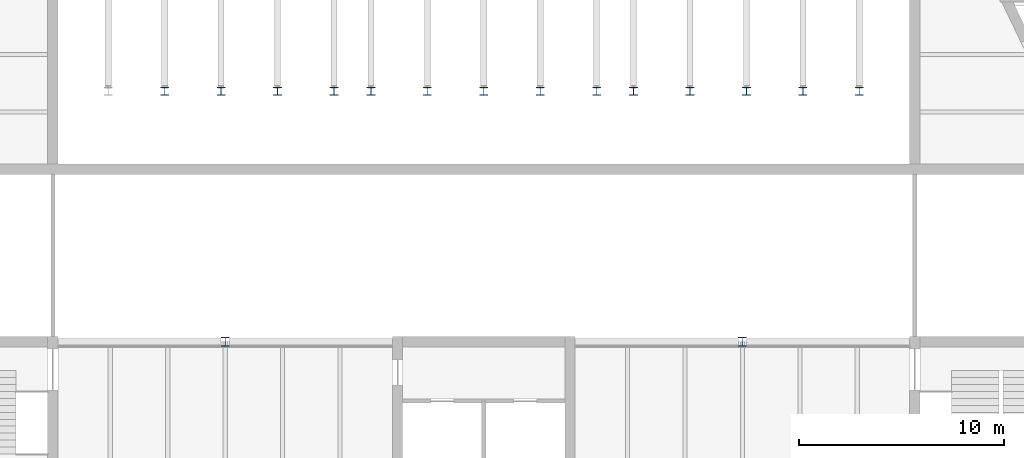
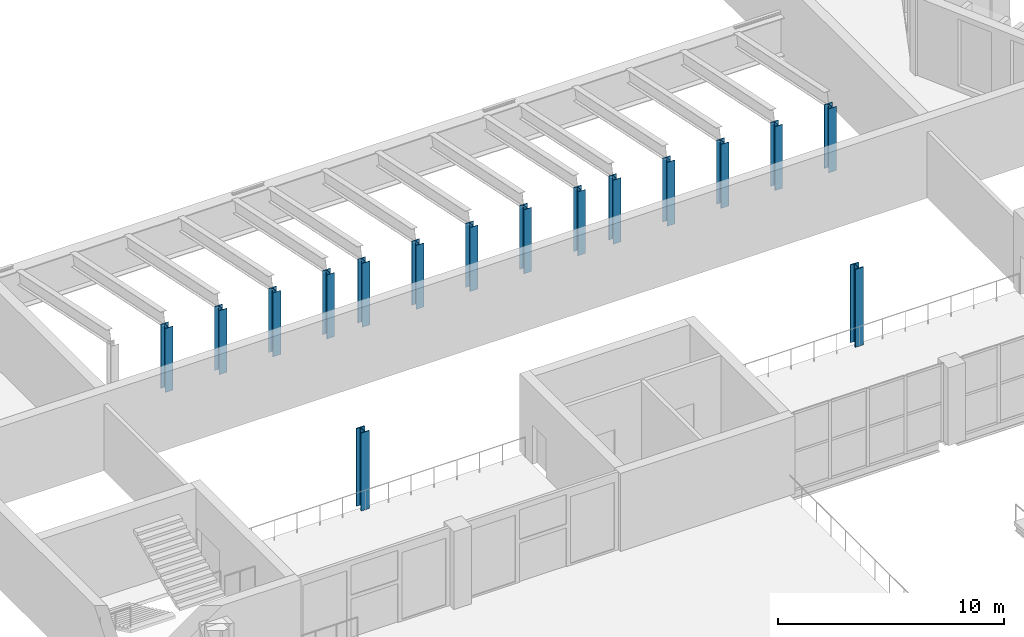
# One storey, part 9 of 96: 16 columns.
"""IFC4 building model written with IfcOpenShell, lengths in metres."""

from ifc_helpers import new_model, si_unit, direction, frame, origin, origin_2d, place, context, subcontext, project, spatial, i_section, extrude, material, material_profile, profile_set, type_object, element, save


model = new_model("IFC4")

# Units and contexts
model_context = context("Model", 3, precision=1e-05, world=origin(), true_north=direction((0.0, 1.0)))
body_context = subcontext(model_context, "Body", "Model", "MODEL_VIEW")
ifc_project = project(units=[si_unit("LENGTHUNIT", "METRE"), si_unit("AREAUNIT", "SQUARE_METRE"), si_unit("VOLUMEUNIT", "CUBIC_METRE"), si_unit("PLANEANGLEUNIT", "RADIAN"), si_unit("MASSUNIT", "GRAM", prefix="KILO")], contexts=[model_context])

# Site, building, storey
site_placement = place(None, origin())
site = spatial("IfcSite", under=ifc_project, at=site_placement, CompositionType="ELEMENT")
building_placement = place(site_placement, origin())
building = spatial("IfcBuilding", under=site, at=building_placement, Name="Cresset Court Congress Hotel", CompositionType="ELEMENT")
storey_placement = place(building_placement, frame((0.0, 0.0, 6.0)))
storey = spatial("IfcBuildingStorey", under=building, at=storey_placement, Name="L01", CompositionType="ELEMENT", Elevation=6.0)

# Columns
ifc_material_1 = material(Name="Structural steel Q355B", Category="steel")
ifc_material_profile_1 = material_profile(ifc_material_1, i_section(OverallWidth=0.39990234375, OverallDepth=0.39990234375, WebThickness=0.012939453125, FlangeThickness=0.02099609375, FilletRadius=0.02197265625, at=origin_2d()), Name="HW400x400x13x21")
ifc_profile_set_1 = profile_set([ifc_material_profile_1], Name="Structural steel Q355B")
column_type_1 = type_object("IfcColumnType", Name="Steel HW400x400x13x21 column", PredefinedType="COLUMN", material=ifc_profile_set_1)
for number, where, z_axis, x_axis, name in (
    (1, (72.64990234375, 79.39990234375, 0.0), (0.0, 0.0, 1.0), (1.0, 0.0, 0.0), "Column CC-K2"),
    (2, (75.39990234375, 79.39990234375, 0.0), (0.0, 0.0, 1.0), (1.0, 0.0, 0.0), "Column CC-K3"),
    (3, (78.14990234375, 79.39990234375, 0.0), (0.0, 0.0, 1.0), (1.0, 0.0, 0.0), "Column CC-K4"),
    (4, (80.89990234375, 79.39990234375, 0.0), (0.0, 0.0, 1.0), (1.0, 0.0, 0.0), "Column CC-K5"),
    (5, (82.699951171875, 79.39990234375, 0.0), (0.0, 0.0, 1.0), (1.0, 0.0, 0.0), "Column CC-K6"),
    (6, (85.449951171875, 79.39990234375, 0.0), (0.0, 0.0, 1.0), (1.0, 0.0, 0.0), "Column CC-K7"),
    (7, (88.199951171875, 79.39990234375, 0.0), (0.0, 0.0, 1.0), (1.0, 0.0, 0.0), "Column CC-K8"),
    (8, (90.949951171875, 79.39990234375, 0.0), (0.0, 0.0, 1.0), (1.0, 0.0, 0.0), "Column CC-K9"),
    (9, (93.699951171875, 79.39990234375, 0.0), (0.0, 0.0, 1.0), (1.0, 0.0, 0.0), "Column CC-K10"),
    (10, (95.5, 79.39990234375, 0.0), (0.0, 0.0, 1.0), (1.0, 0.0, 0.0), "Column CC-K11"),
    (11, (98.25, 79.39990234375, 0.0), (0.0, 0.0, 1.0), (1.0, 0.0, 0.0), "Column CC-K12"),
    (12, (101.0, 79.39990234375, 0.0), (0.0, 0.0, 1.0), (1.0, 0.0, 0.0), "Column CC-K13"),
    (13, (103.75, 79.39990234375, 0.0), (0.0, 0.0, 1.0), (1.0, 0.0, 0.0), "Column CC-K14"),
    (14, (106.5, 79.39990234375, 0.0), (0.0, 0.0, 1.0), (1.0, 0.0, 0.0), "Column CC-K15"),
):
    element("IfcColumn", number, at=place(storey_placement, frame(where, z_axis=z_axis, x_axis=x_axis)), inside=storey, type_object=column_type_1, Name=name, PredefinedType="COLUMN", context=body_context, shape_type="SweptSolid", body=[
        extrude(i_section(OverallWidth=0.39990234375, OverallDepth=0.39990234375, WebThickness=0.012939453125, FlangeThickness=0.02099609375, FilletRadius=0.02197265625, at=origin_2d()), origin(), (0.0, 0.0, 1.0), 3.449951171875),
    ])
ifc_material_2 = material(Name="Structural steel Q355B", Category="steel")
ifc_material_profile_2 = material_profile(ifc_material_2, i_section(OverallWidth=0.4169921875, OverallDepth=0.4580078125, WebThickness=0.030029296875, FlangeThickness=0.050048828125, FilletRadius=0.02197265625, at=origin_2d()), Name="HW458x417x30x50")
ifc_profile_set_2 = profile_set([ifc_material_profile_2], Name="Structural steel Q355B")
column_type_2 = type_object("IfcColumnType", Name="Steel HW458x417x30x50 lower column", PredefinedType="COLUMN", material=ifc_profile_set_2)
for number, where, z_axis, x_axis, name in (
    (15, (75.60009765625, 67.199951171875, 0.0), (0.0, 0.0, 1.0), (1.0, 0.0, 0.0), "Column CC-F75"),
    (16, (100.800048828125, 67.199951171875, 0.0), (0.0, 0.0, 1.0), (1.0, 0.0, 0.0), "Column CC-F100"),
):
    element("IfcColumn", number, at=place(storey_placement, frame(where, z_axis=z_axis, x_axis=x_axis)), inside=storey, type_object=column_type_2, Name=name, PredefinedType="COLUMN", context=body_context, shape_type="SweptSolid", body=[
        extrude(i_section(OverallWidth=0.4169921875, OverallDepth=0.4580078125, WebThickness=0.030029296875, FlangeThickness=0.050048828125, FilletRadius=0.02197265625, at=origin_2d()), origin(), (0.0, 0.0, 1.0), 4.199951171875),
    ])

save(model, "model.ifc")
